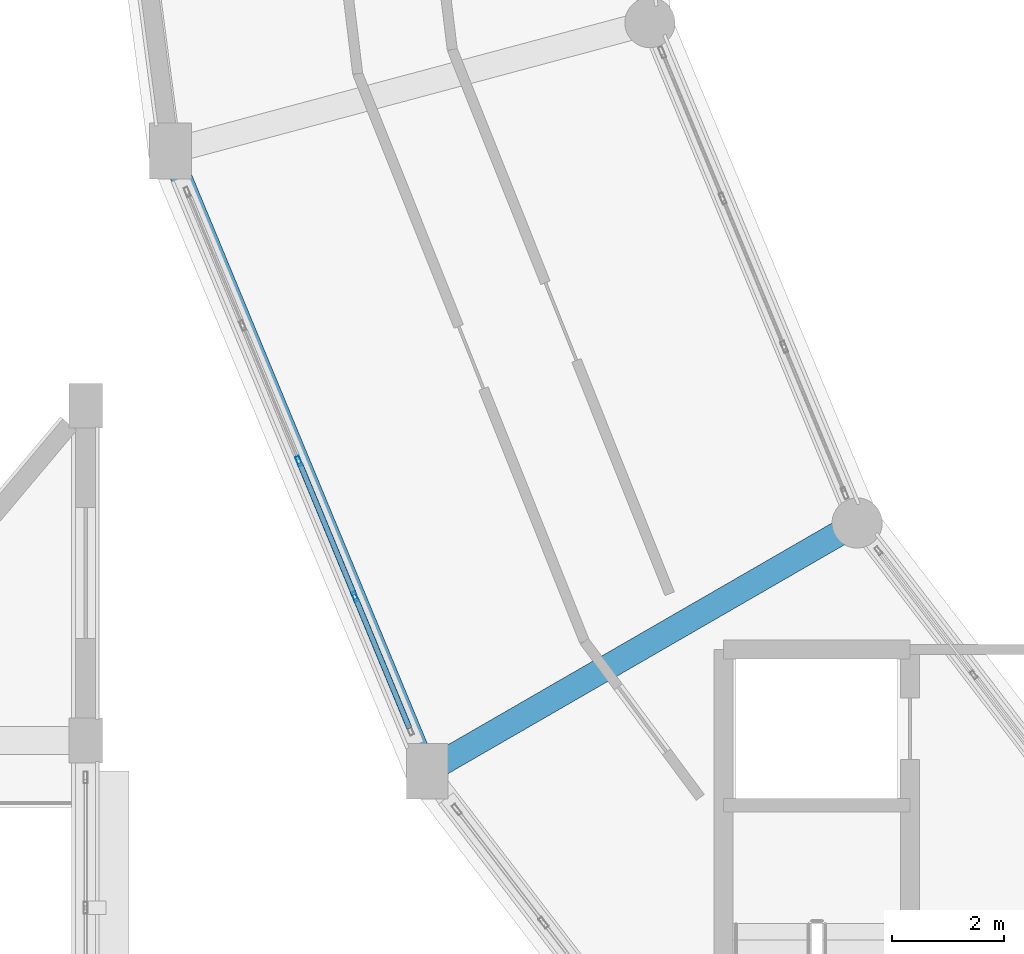
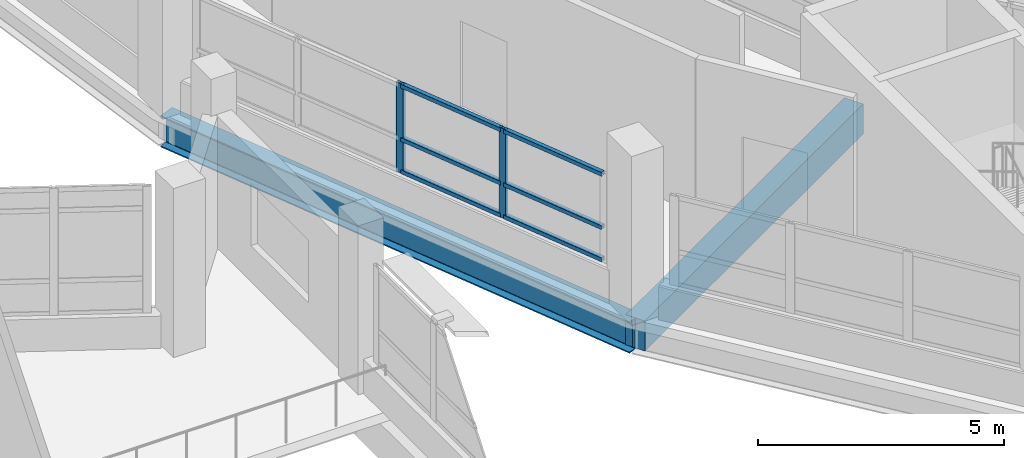
# One storey, part 32 of 128: 8 members, 2 beams, 1 element without a shape of its own.
"""IFC4 building model written with IfcOpenShell, lengths in metres."""

from ifc_helpers import new_model, si_unit, direction, frame, origin, origin_2d, place, context, subcontext, project, spatial, rectangle, hollow_rectangle, i_section, extrude, material, layer, layer_set, material_profile, profile_set, type_object, element, aggregate, save


model = new_model("IFC4")

# Units and contexts
model_context = context("Model", 3, precision=1e-05, world=origin(), true_north=direction((0.0, 1.0)))
body_context = subcontext(model_context, "Body", "Model", "MODEL_VIEW")
ifc_project = project(units=[si_unit("LENGTHUNIT", "METRE"), si_unit("AREAUNIT", "SQUARE_METRE"), si_unit("VOLUMEUNIT", "CUBIC_METRE"), si_unit("PLANEANGLEUNIT", "RADIAN"), si_unit("MASSUNIT", "GRAM", prefix="KILO")], contexts=[model_context])

# Site, building, storey
site_placement = place(None, origin())
site = spatial("IfcSite", under=ifc_project, at=site_placement, CompositionType="ELEMENT")
building_placement = place(site_placement, origin())
building = spatial("IfcBuilding", under=site, at=building_placement, Name="Vespera Passage Community Centre", CompositionType="ELEMENT")
storey_placement = place(building_placement, frame((0.0, 0.0, 4.5)))
storey = spatial("IfcBuildingStorey", under=building, at=storey_placement, Name="L01", CompositionType="ELEMENT", Elevation=4.5)

# Beams
ifc_material_1 = material(Name="Concrete f'c 35 MPa", Category="concrete")
ifc_material_profile_1 = material_profile(ifc_material_1, rectangle(XDim=0.449951171875, YDim=0.75, at=origin_2d()), Name="RC450X750")
ifc_profile_set_1 = profile_set([ifc_material_profile_1], Name="Concrete f'c 35 MPa")
beam_type_1 = type_object("IfcBeamType", Name="BM-G-450X750", PredefinedType="BEAM", material=ifc_profile_set_1)
beam_1_placement = place(storey_placement, frame((45.783935546875, 46.89990234375, -0.614990234375), z_axis=(-0.866031643847, -0.499989191739, 0.0), x_axis=(0.499989191739, -0.866031643847, 0.0)))
element("IfcBeam", 1, at=beam_1_placement, inside=storey, type_object=beam_type_1, Name="V4 L01 Radial Girder 14", PredefinedType="BEAM", context=body_context, shape_type="SweptSolid", body=[
    extrude(rectangle(XDim=0.449951171875, YDim=0.75, at=origin_2d()), origin(), (0.0, 0.0, 1.0), 8.900146484375),
])
ifc_material_2 = material(Name="Steel ASTM A992 Grade 50", Category="steel")
ifc_material_profile_2 = material_profile(ifc_material_2, i_section(OverallWidth=0.382080078125, OverallDepth=0.779296875, WebThickness=0.01806640625, FlangeThickness=0.030029296875, FilletRadius=0.0166015625, at=origin_2d()), Name="W30X191")
ifc_profile_set_2 = profile_set([ifc_material_profile_2], Name="Steel ASTM A992 Grade 50")
beam_type_2 = type_object("IfcBeamType", Name="BM-SP-W30X191E", PredefinedType="SPANDREL", material=ifc_profile_set_2)
beam_2_placement = place(storey_placement, frame((33.470703125, 53.568359375, -0.629638671875), z_axis=(0.382688629799, -0.923877379647, 0.0), x_axis=(0.923877379647, 0.382688629799, 0.0)))
element("IfcBeam", 2, at=beam_2_placement, inside=storey, type_object=beam_type_2, Name="V4 L01 Outer Spandrel 13", PredefinedType="SPANDREL", context=body_context, shape_type="SweptSolid", body=[
    extrude(i_section(OverallWidth=0.382080078125, OverallDepth=0.779296875, WebThickness=0.01806640625, FlangeThickness=0.030029296875, FilletRadius=0.0166015625, at=origin_2d()), origin(), (0.0, 0.0, 1.0), 12.034423828125),
])

# Curtain wall, members
ifc_material_3 = material(Name="Anodized aluminium 6063-T6", Category="aluminium")
ifc_layer = layer(ifc_material_3, 0.159912109375)
ifc_layer_set = layer_set([ifc_layer], Name="Anodized aluminium 6063-T6")
curtain_wall_type = type_object("IfcCurtainWallType", Name="CW-20E", PredefinedType="NOTDEFINED", material=ifc_layer_set)
curtain_wall_placement = place(storey_placement, origin())
curtain_wall = element("IfcCurtainWall", 3, at=curtain_wall_placement, inside=storey, type_object=curtain_wall_type, Name="V4 L01 Outer Ribbon Curtain Wall 13", PredefinedType="NOTDEFINED")
ifc_material_4 = material(Name="Anodized aluminium 6063-T6", Category="aluminium")
ifc_material_profile_3 = material_profile(ifc_material_4, hollow_rectangle(XDim=0.074951171875, YDim=0.179931640625, WallThickness=0.0048828125, InnerFilletRadius=0.00244140625, OuterFilletRadius=0.0048828125, at=origin_2d()), Name="ALU180X75X5")
ifc_profile_set_3 = profile_set([ifc_material_profile_3], Name="Anodized aluminium 6063-T6")
member_type_1 = type_object("IfcMemberType", Name="MB-CWM-180E", PredefinedType="MULLION", material=ifc_profile_set_3)
member_1_placement = place(storey_placement, frame((36.780029296875, 45.578857421875, 0.820068359375), z_axis=(0.0, 0.0, 1.0), x_axis=(-0.923881309405, -0.382679142535, 0.0)))
member_1 = element("IfcMember", 4, at=member_1_placement, type_object=member_type_1, Name="CW-20E mullion 2", PredefinedType="MULLION", context=body_context, shape_type="SweptSolid", body=[
    extrude(hollow_rectangle(XDim=0.074951171875, YDim=0.179931640625, WallThickness=0.0048828125, InnerFilletRadius=0.00244140625, OuterFilletRadius=0.0048828125, at=origin_2d()), origin(), (0.0, 0.0, 1.0), 2.2255859375),
])
member_2_placement = place(storey_placement, frame((35.7734375, 48.00927734375, 0.820068359375), z_axis=(0.0, 0.0, 1.0), x_axis=(-0.923881309405, -0.382679142535, 0.0)))
member_2 = element("IfcMember", 5, at=member_2_placement, type_object=member_type_1, Name="CW-20E mullion 3", PredefinedType="MULLION", context=body_context, shape_type="SweptSolid", body=[
    extrude(hollow_rectangle(XDim=0.074951171875, YDim=0.179931640625, WallThickness=0.0048828125, InnerFilletRadius=0.00244140625, OuterFilletRadius=0.0048828125, at=origin_2d()), origin(), (0.0, 0.0, 1.0), 2.2255859375),
])
ifc_material_5 = material(Name="Anodized aluminium 6063-T6", Category="aluminium")
ifc_material_profile_4 = material_profile(ifc_material_5, hollow_rectangle(XDim=0.10009765625, YDim=0.10009765625, WallThickness=0.00390625, InnerFilletRadius=0.001953125, OuterFilletRadius=0.00390625, at=origin_2d()), Name="ALU100X100X4")
ifc_profile_set_4 = profile_set([ifc_material_profile_4], Name="Anodized aluminium 6063-T6")
member_type_2 = type_object("IfcMemberType", Name="MB-CWT-100E", PredefinedType="USERDEFINED", material=ifc_profile_set_4)
member_3_placement = place(storey_placement, frame((37.758056640625, 43.2177734375, 0.8701171875), z_axis=(-0.3826800364, 0.923880939159, 0.0), x_axis=(-0.923880939159, -0.3826800364, 0.0)))
member_3 = element("IfcMember", 6, at=member_3_placement, type_object=member_type_2, Name="CW-20E transom 1.1", ObjectType="TRANSOM", PredefinedType="USERDEFINED", context=body_context, shape_type="SweptSolid", body=[
    extrude(hollow_rectangle(XDim=0.10009765625, YDim=0.10009765625, WallThickness=0.00390625, InnerFilletRadius=0.001953125, OuterFilletRadius=0.00390625, at=origin_2d()), origin(), (0.0, 0.0, 1.0), 2.51806640625),
])
member_4_placement = place(storey_placement, frame((37.758056640625, 43.2177734375, 1.669921875), z_axis=(-0.3826800364, 0.923880939159, 0.0), x_axis=(-0.923880939159, -0.3826800364, 0.0)))
member_4 = element("IfcMember", 7, at=member_4_placement, type_object=member_type_2, Name="CW-20E transom 1.2", ObjectType="TRANSOM", PredefinedType="USERDEFINED", context=body_context, shape_type="SweptSolid", body=[
    extrude(hollow_rectangle(XDim=0.10009765625, YDim=0.10009765625, WallThickness=0.00390625, InnerFilletRadius=0.001953125, OuterFilletRadius=0.00390625, at=origin_2d()), origin(), (0.0, 0.0, 1.0), 2.51806640625),
])
member_5_placement = place(storey_placement, frame((37.758056640625, 43.2177734375, 2.99560546875), z_axis=(-0.3826800364, 0.923880939159, 0.0), x_axis=(-0.923880939159, -0.3826800364, 0.0)))
member_5 = element("IfcMember", 8, at=member_5_placement, type_object=member_type_2, Name="CW-20E transom 1.3", ObjectType="TRANSOM", PredefinedType="USERDEFINED", context=body_context, shape_type="SweptSolid", body=[
    extrude(hollow_rectangle(XDim=0.10009765625, YDim=0.10009765625, WallThickness=0.00390625, InnerFilletRadius=0.001953125, OuterFilletRadius=0.00390625, at=origin_2d()), origin(), (0.0, 0.0, 1.0), 2.51806640625),
])
member_6_placement = place(storey_placement, frame((36.765869140625, 45.613525390625, 0.8701171875), z_axis=(-0.382694900027, 0.923874782367, 0.0), x_axis=(-0.923874782367, -0.382694900027, 0.0)))
member_6 = element("IfcMember", 9, at=member_6_placement, type_object=member_type_2, Name="CW-20E transom 2.1", ObjectType="TRANSOM", PredefinedType="USERDEFINED", context=body_context, shape_type="SweptSolid", body=[
    extrude(hollow_rectangle(XDim=0.10009765625, YDim=0.10009765625, WallThickness=0.00390625, InnerFilletRadius=0.001953125, OuterFilletRadius=0.00390625, at=origin_2d()), origin(), (0.0, 0.0, 1.0), 2.5556640625),
])
member_7_placement = place(storey_placement, frame((36.765869140625, 45.613525390625, 1.669921875), z_axis=(-0.382694900027, 0.923874782367, 0.0), x_axis=(-0.923874782367, -0.382694900027, 0.0)))
member_7 = element("IfcMember", 10, at=member_7_placement, type_object=member_type_2, Name="CW-20E transom 2.2", ObjectType="TRANSOM", PredefinedType="USERDEFINED", context=body_context, shape_type="SweptSolid", body=[
    extrude(hollow_rectangle(XDim=0.10009765625, YDim=0.10009765625, WallThickness=0.00390625, InnerFilletRadius=0.001953125, OuterFilletRadius=0.00390625, at=origin_2d()), origin(), (0.0, 0.0, 1.0), 2.5556640625),
])
member_8_placement = place(storey_placement, frame((36.765869140625, 45.613525390625, 2.99560546875), z_axis=(-0.382694900027, 0.923874782367, 0.0), x_axis=(-0.923874782367, -0.382694900027, 0.0)))
member_8 = element("IfcMember", 11, at=member_8_placement, type_object=member_type_2, Name="CW-20E transom 2.3", ObjectType="TRANSOM", PredefinedType="USERDEFINED", context=body_context, shape_type="SweptSolid", body=[
    extrude(hollow_rectangle(XDim=0.10009765625, YDim=0.10009765625, WallThickness=0.00390625, InnerFilletRadius=0.001953125, OuterFilletRadius=0.00390625, at=origin_2d()), origin(), (0.0, 0.0, 1.0), 2.5556640625),
])
aggregate(curtain_wall, [member_1, member_2, member_3, member_4, member_5, member_6, member_7, member_8])

save(model, "model.ifc")
